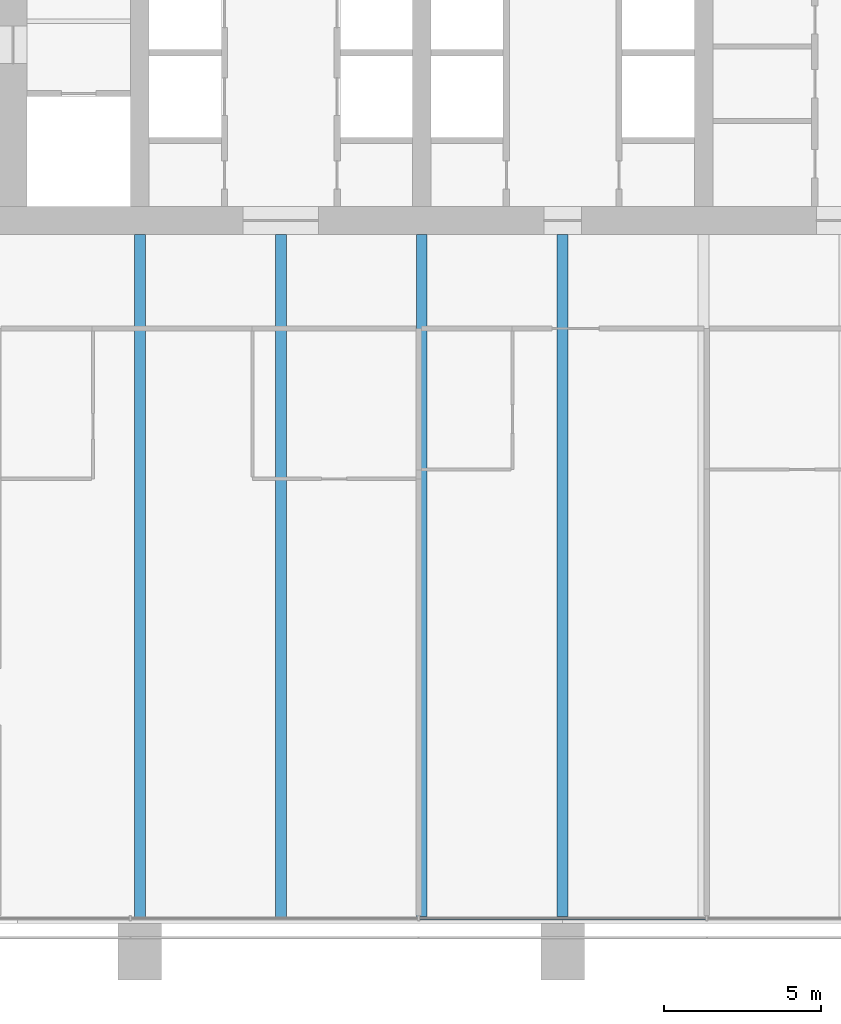
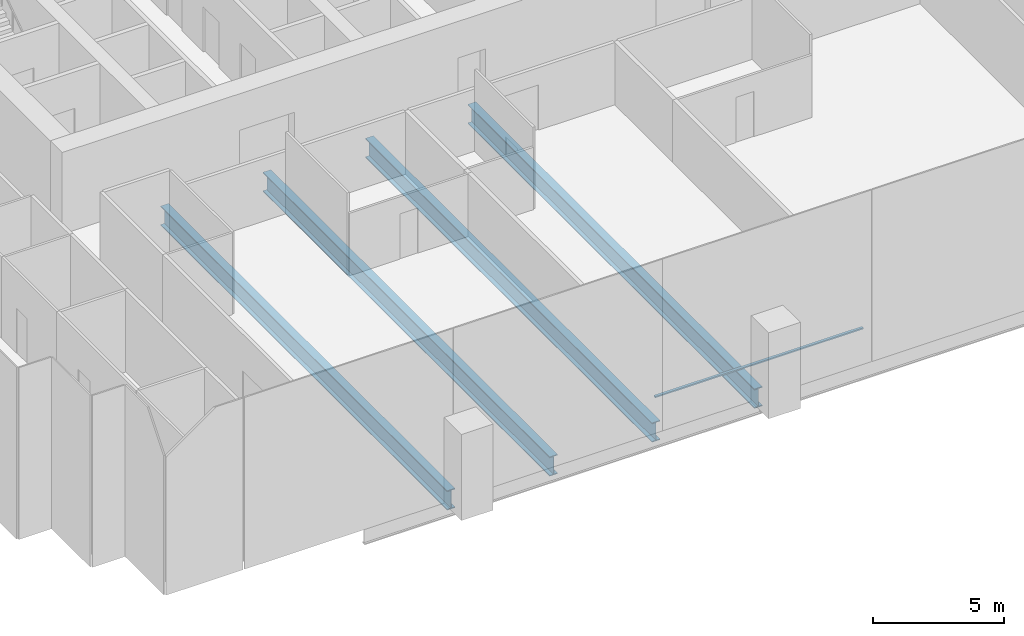
# One storey, part 3 of 17: 4 beams, 1 member, 1 element without a shape of its own.
"""IFC4 building model written with IfcOpenShell, lengths in metres."""

import ifcopenshell
import ifcopenshell.guid

model = None  # the IFC model being written
_history = None  # IfcOwnerHistory: only IFC2X3 demands one
_inside = {}  # id of a spatial element -> (the spatial element, [elements in it])
_under = {}  # id of a project, library or spatial element -> (it, [spatial elements below it])
_declared = {}  # id of a project -> (the project, [libraries it declares])
_typed = {}  # id of a type object -> (the type object, [elements of that type])
_made_of = {}  # id of a material, layer set ... -> (it, [elements and type objects made of it])


def new_model(schema):
    """Start an empty IFC model of exactly this schema.

    Asked for "IFC4X3", IfcOpenShell would pick the latest addendum, in which some entities
    have other attributes; the version numbers below select the first issue.
    IFC2X3 requires an IfcOwnerHistory on every rooted entity: one is made here for all.
    """
    global model, _history
    if schema == "IFC4X3":
        model = ifcopenshell.file(schema_version=(4, 3, 0, 0))
    else:
        model = ifcopenshell.file(schema=schema)
    _inside.clear()
    _under.clear()
    _declared.clear()
    _typed.clear()
    _made_of.clear()
    _history = None
    if model.schema == "IFC2X3":
        org = make("IfcOrganization", Name="unknown")
        user = make(
            "IfcPersonAndOrganization",
            ThePerson=make("IfcPerson", FamilyName="unknown"),
            TheOrganization=org,
        )
        app = make(
            "IfcApplication",
            ApplicationDeveloper=org,
            Version="unknown",
            ApplicationFullName="unknown",
            ApplicationIdentifier="unknown",
        )
        _history = make(
            "IfcOwnerHistory",
            OwningUser=user,
            OwningApplication=app,
            ChangeAction="ADDED",
            CreationDate=0,
        )
    return model


def make(cls, **values):
    """One entity of the class cls with the attributes given. An attribute that is None is left unset."""
    return model.create_entity(
        cls, **{name: value for name, value in values.items() if value is not None}
    )


def rooted(cls, **values):
    """An entity with a GlobalId (a new one), such as an element, a storey or a relation."""
    return make(cls, GlobalId=ifcopenshell.guid.new(), OwnerHistory=_history, **values)


def si_unit(unit_type, name, prefix=None):
    """IfcSIUnit, for example si_unit("LENGTHUNIT", "METRE", prefix="MILLI")."""
    return make("IfcSIUnit", UnitType=unit_type, Prefix=prefix, Name=name)


def assignment(units):
    """IfcUnitAssignment: the units of a project."""
    return None if units is None else make("IfcUnitAssignment", Units=units)


def point(xyz):
    """IfcCartesianPoint."""
    return None if xyz is None else make("IfcCartesianPoint", Coordinates=xyz)


def direction(xyz):
    """IfcDirection."""
    return None if xyz is None else make("IfcDirection", DirectionRatios=xyz)


def frame(location, z_axis=None, x_axis=None):
    """IfcAxis2Placement3D, a coordinate frame: its origin and axes. An axis left out is left unset."""
    return make(
        "IfcAxis2Placement3D",
        Location=point(location),
        Axis=direction(z_axis),
        RefDirection=direction(x_axis),
    )


def frame_2d(location, x_axis=None):
    """IfcAxis2Placement2D, a coordinate frame in the plane: its origin and x axis."""
    return make(
        "IfcAxis2Placement2D", Location=point(location), RefDirection=direction(x_axis)
    )


def origin():
    """The frame at (0, 0, 0) with its axes left unset."""
    return frame((0.0, 0.0, 0.0))


def origin_2d():
    """The frame at (0, 0) in the plane with its x axis left unset."""
    return frame_2d((0.0, 0.0))


def place(relative_to, where):
    """IfcLocalPlacement: puts the frame where relative to a parent placement (None: the world)."""
    return make(
        "IfcLocalPlacement", PlacementRelTo=relative_to, RelativePlacement=where
    )


def context(
    kind, dimensions, precision=None, world=None, true_north=None, identifier=None
):
    """IfcGeometricRepresentationContext, for example the 3D "Model" context."""
    return make(
        "IfcGeometricRepresentationContext",
        ContextIdentifier=identifier,
        ContextType=kind,
        CoordinateSpaceDimension=dimensions,
        Precision=precision,
        WorldCoordinateSystem=world,
        TrueNorth=true_north,
    )


def subcontext(parent, identifier, kind, view, scale=None):
    """IfcGeometricRepresentationSubContext, for example "Body" below "Model"."""
    return make(
        "IfcGeometricRepresentationSubContext",
        ContextIdentifier=identifier,
        ContextType=kind,
        ParentContext=parent,
        TargetScale=scale,
        TargetView=view,
    )


def project(units=None, contexts=None):
    """IfcProject with its units and contexts."""
    return rooted(
        "IfcProject",
        Name="project",
        RepresentationContexts=contexts,
        UnitsInContext=assignment(units),
    )


def spatial(cls, under=None, at=None, **own):
    """A site, building, storey or space (cls), placed at a placement, below another one or the project."""
    s = rooted(cls, ObjectPlacement=at, **own)
    if under is not None:
        _under.setdefault(under.id(), (under, []))[1].append(s)
    return s


def profile(cls, at=None, kind="AREA", **sizes):
    """A parametric profile (cls). Its sizes go by their IFC names, for example OverallWidth=200.0."""
    return make(cls, ProfileType=kind, Position=at, **sizes)


def rectangle(**sizes):
    """IfcRectangleProfileDef."""
    return profile("IfcRectangleProfileDef", **sizes)


def i_section(**sizes):
    """IfcIShapeProfileDef."""
    return profile("IfcIShapeProfileDef", **sizes)


def extrude(swept, where, along, depth):
    """IfcExtrudedAreaSolid: the profile swept, set in the frame where, extruded along a direction by depth."""
    return make(
        "IfcExtrudedAreaSolid",
        SweptArea=swept,
        Position=where,
        ExtrudedDirection=direction(along),
        Depth=depth,
    )


def shape(context_of_items, identifier, shape_type, items):
    """IfcShapeRepresentation: the items that make up one representation, for example the "Body"."""
    return make(
        "IfcShapeRepresentation",
        ContextOfItems=context_of_items,
        RepresentationIdentifier=identifier,
        RepresentationType=shape_type,
        Items=items,
    )


def material(Name=None, Category=None):
    """IfcMaterial."""
    return make("IfcMaterial", Name=Name, Category=Category)


def material_profile(
    of_material, cross_section, Name=None, Category=None, Priority=None
):
    """IfcMaterialProfile: a cross section and its material."""
    return make(
        "IfcMaterialProfile",
        Name=Name,
        Material=of_material,
        Profile=cross_section,
        Priority=Priority,
        Category=Category,
    )


def profile_set(profiles, Name=None, composite=None):
    """IfcMaterialProfileSet."""
    return make(
        "IfcMaterialProfileSet",
        Name=Name,
        MaterialProfiles=profiles,
        CompositeProfile=composite,
    )


def made_of(thing, what):
    """Note that an element or type object is made of a material, layer set ...; save() writes the relation."""
    if what is not None:
        _made_of.setdefault(what.id(), (what, []))[1].append(thing)
    return thing


def type_object(cls, material=None, **own):
    """A type object (cls), such as IfcWallType, which elements share."""
    return made_of(rooted(cls, **own), material)


def element(
    cls,
    number,
    at=None,
    inside=None,
    cuts=None,
    type_object=None,
    material=None,
    context=None,
    identifier="Body",
    shape_type=None,
    held_by="IfcProductDefinitionShape",
    body=None,
    shapes=None,
    **own,
):
    """One element of the class cls, such as IfcWall. Its Tag is "e" and its number.

    at: its placement. inside: the storey or other place that contains it. cuts: it is an
    opening in that element (IfcRelVoidsElement). A single representation is given by context,
    identifier, shape_type and body (its items); several are given by shapes. held_by: the class
    of the entity that holds the representations. save() writes the other relations.
    """
    e = rooted(cls, Tag="e%d" % number, ObjectPlacement=at, **own)
    if body is not None:
        shapes = [shape(context, identifier, shape_type, body)]
    if shapes is not None:
        e.Representation = make(held_by, Representations=shapes)
    if inside is not None:
        _inside.setdefault(inside.id(), (inside, []))[1].append(e)
    if cuts is not None:
        rooted(
            "IfcRelVoidsElement", RelatingBuildingElement=cuts, RelatedOpeningElement=e
        )
    if type_object is not None:
        _typed.setdefault(type_object.id(), (type_object, []))[1].append(e)
    return made_of(e, material)


def aggregate(whole, parts):
    """IfcRelAggregates: a whole, such as a stair, and the parts it consists of."""
    return rooted("IfcRelAggregates", RelatingObject=whole, RelatedObjects=parts)


def save(model, path):
    """Write the relations noted so far, then the file.

    IfcRelAggregates (storeys below a building ...), IfcRelContainedInSpatialStructure (elements
    in a storey), IfcRelDefinesByType, IfcRelAssociatesMaterial and IfcRelDeclares: one each for
    every whole, place, type object, material and project.
    """
    for whole, parts in _under.values():
        aggregate(whole, parts)
    for where, things in _inside.values():
        rooted(
            "IfcRelContainedInSpatialStructure",
            RelatedElements=things,
            RelatingStructure=where,
        )
    for kind, things in _typed.values():
        rooted("IfcRelDefinesByType", RelatedObjects=things, RelatingType=kind)
    for what, things in _made_of.values():
        rooted("IfcRelAssociatesMaterial", RelatedObjects=things, RelatingMaterial=what)
    for by, libraries in _declared.values():
        rooted("IfcRelDeclares", RelatingContext=by, RelatedDefinitions=libraries)
    model.write(path)


model = new_model("IFC4")

# Units and contexts
model_context = context("Model", 3, precision=1e-05, world=origin(), true_north=direction((0.0, 1.0)))
body_context = subcontext(model_context, "Body", "Model", "MODEL_VIEW")
ifc_project = project(units=[si_unit("LENGTHUNIT", "METRE"), si_unit("AREAUNIT", "SQUARE_METRE"), si_unit("VOLUMEUNIT", "CUBIC_METRE"), si_unit("PLANEANGLEUNIT", "RADIAN"), si_unit("MASSUNIT", "GRAM", prefix="KILO")], contexts=[model_context])

# Site, building, storey
site_placement = place(None, origin())
site = spatial("IfcSite", under=ifc_project, at=site_placement, CompositionType="ELEMENT")
building_placement = place(site_placement, origin())
building = spatial("IfcBuilding", under=site, at=building_placement, Name="Rattan Terrace Tower", CompositionType="ELEMENT")
storey_placement = place(building_placement, frame((0.0, 0.0, 138.10009765625)))
storey = spatial("IfcBuildingStorey", under=building, at=storey_placement, Name="L31", CompositionType="ELEMENT", Elevation=138.10009765625)

# Curtain wall, member
ifc_material_1 = material(Name="Aluminium and glass", Category="aluminium")
curtain_wall_type = type_object("IfcCurtainWallType", Name="Facade Unitised Curtain Wall", PredefinedType="NOTDEFINED", material=ifc_material_1)
curtain_wall_placement = place(storey_placement, origin())
curtain_wall = element("IfcCurtainWall", 1, at=curtain_wall_placement, inside=storey, type_object=curtain_wall_type, Name="Curtain wall L31-4", PredefinedType="NOTDEFINED")
ifc_material_2 = material(Name="Aluminium", Category="aluminium")
ifc_material_profile_1 = material_profile(ifc_material_2, rectangle(XDim=0.1201171875, YDim=0.06005859375, at=origin_2d()), Name="Aluminium 120x60")
ifc_profile_set_1 = profile_set([ifc_material_profile_1], Name="Aluminium")
member_type = type_object("IfcMemberType", Name="Facade CW Transom 120x60", PredefinedType="USERDEFINED", material=ifc_profile_set_1)
member_placement = place(storey_placement, frame((-4.568115234375, -29.330078125, 1.0), z_axis=(1.0, 0.0, 0.0), x_axis=(0.0, 1.0, 0.0)))
member = element("IfcMember", 2, at=member_placement, type_object=member_type, Name="Transom cwl-L31-004.3", ObjectType="TRANSOM", PredefinedType="USERDEFINED", context=body_context, shape_type="SweptSolid", body=[
    extrude(rectangle(XDim=0.1201171875, YDim=0.06005859375, at=origin_2d()), origin(), (0.0, 0.0, 1.0), 9.14111328125),
])
aggregate(curtain_wall, [member])

# Beams
ifc_material_3 = material(Name="Steel S460", Category="steel")
ifc_material_profile_2 = material_profile(ifc_material_3, i_section(OverallWidth=0.35009765625, OverallDepth=0.89990234375, WebThickness=0.013916015625, FlangeThickness=0.0400390625, at=origin_2d()), Name="PG 900x350-14-40")
ifc_profile_set_2 = profile_set([ifc_material_profile_2], Name="Steel S460")
beam_type = type_object("IfcBeamType", Name="Frame floor beam PG 900x350-14-40", PredefinedType="JOIST", material=ifc_profile_set_2)
for number, where, z_axis, x_axis, name in (
    (3, (-13.5, -29.320068359375, -0.650146484375), (0.0, 1.0, 0.0), (-1.0, 0.0, 0.0), "bm-L31-003"),
    (4, (-9.0, -29.320068359375, -0.650146484375), (0.0, 1.0, 0.0), (-1.0, 0.0, 0.0), "bm-L31-004"),
    (5, (-4.5, -29.320068359375, -0.650146484375), (0.0, 1.0, 0.0), (-1.0, 0.0, 0.0), "bm-L31-005"),
    (6, (0.0, -29.320068359375, -0.650146484375), (0.0, 1.0, 0.0), (-1.0, 0.0, 0.0), "bm-L31-006"),
):
    element("IfcBeam", number, at=place(storey_placement, frame(where, z_axis=z_axis, x_axis=x_axis)), inside=storey, type_object=beam_type, Name=name, PredefinedType="JOIST", context=body_context, shape_type="SweptSolid", body=[
        extrude(i_section(OverallWidth=0.35009765625, OverallDepth=0.89990234375, WebThickness=0.013916015625, FlangeThickness=0.0400390625, at=origin_2d()), origin(), (0.0, 0.0, 1.0), 21.820068359375),
    ])

save(model, "model.ifc")
